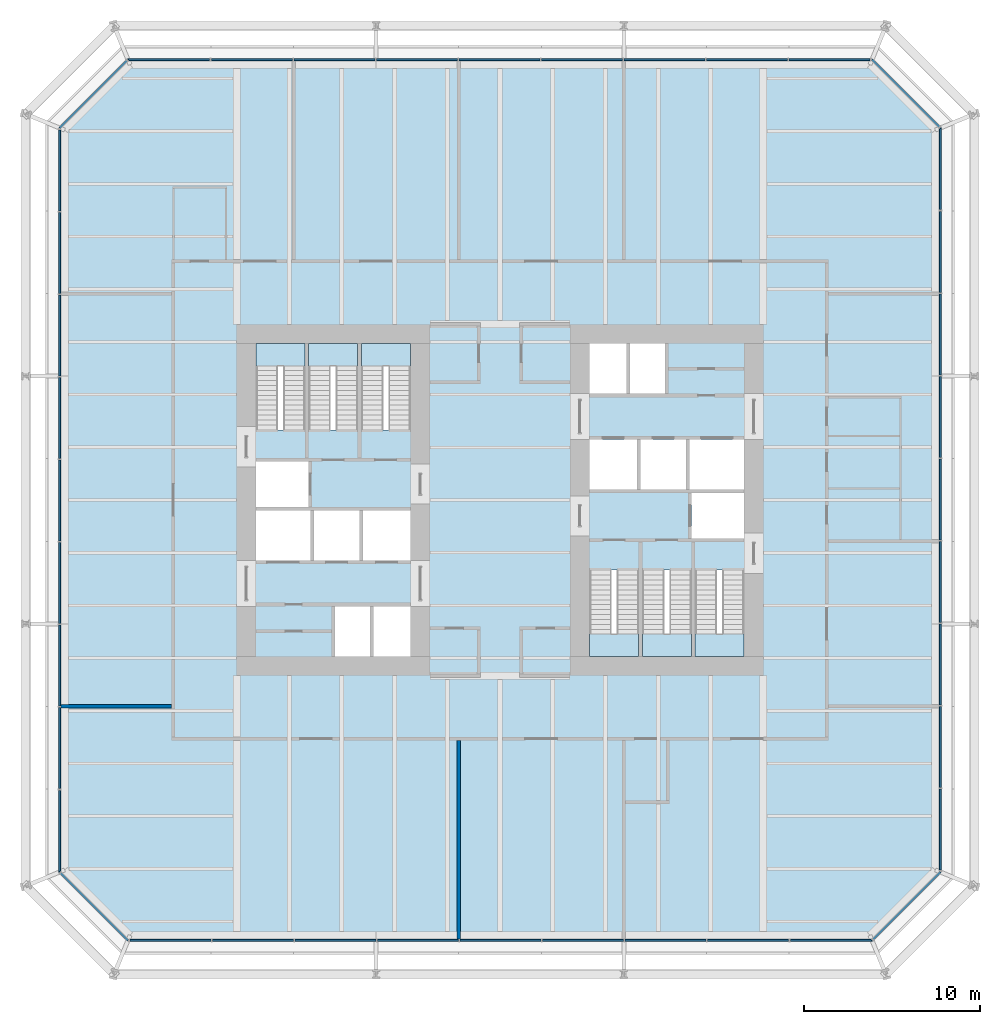
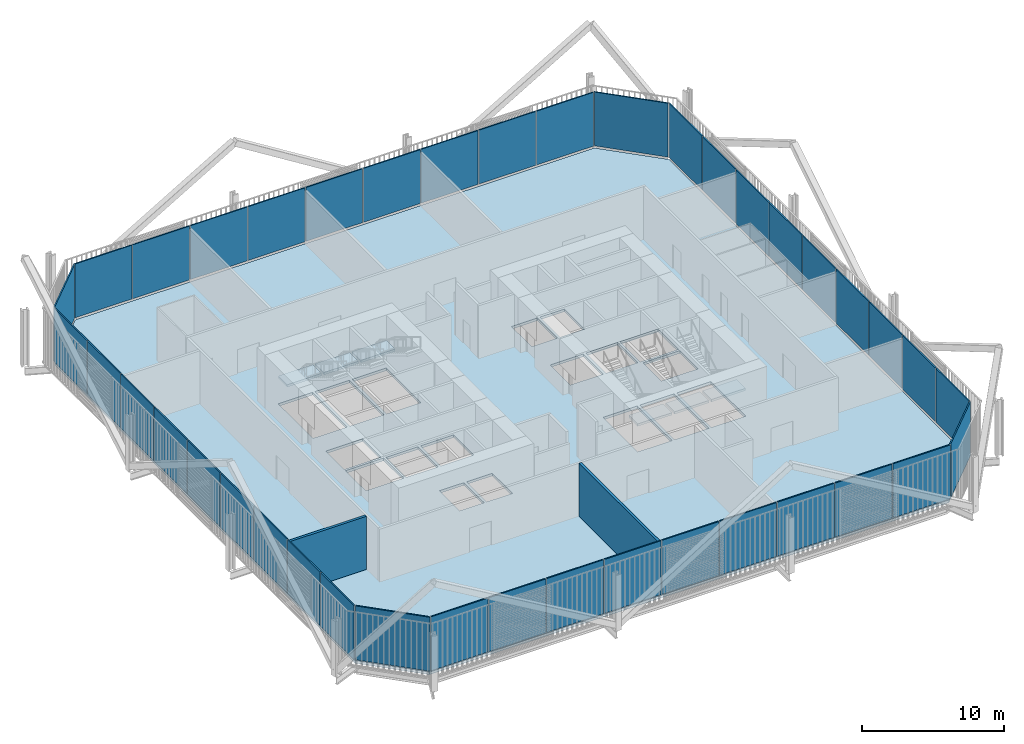
# One storey, part 17 of 22: 40 plates, 7 slabs, 2 walls, 14 elements without a shape of their own.
"""IFC4 building model written with IfcOpenShell, lengths in metres."""

from ifc_helpers import new_model, si_unit, direction, frame, frame_2d, origin, place, context, subcontext, project, spatial, polyline, rectangle, outline, extrude, material, layer, layer_set, type_object, element, aggregate, save


model = new_model("IFC4")

# Units and contexts
model_context = context("Model", 3, precision=1e-05, world=origin(), true_north=direction((0.0, 1.0)))
body_context = subcontext(model_context, "Body", "Model", "MODEL_VIEW")
ifc_project = project(units=[si_unit("LENGTHUNIT", "METRE"), si_unit("AREAUNIT", "SQUARE_METRE"), si_unit("VOLUMEUNIT", "CUBIC_METRE"), si_unit("PLANEANGLEUNIT", "RADIAN"), si_unit("MASSUNIT", "GRAM", prefix="KILO")], contexts=[model_context])

# Site, building, storey
site_placement = place(None, origin())
site = spatial("IfcSite", under=ifc_project, at=site_placement, CompositionType="ELEMENT")
building_placement = place(site_placement, origin())
building = spatial("IfcBuilding", under=site, at=building_placement, Name="Millrace Tower", CompositionType="ELEMENT")
storey_placement = place(building_placement, frame((0.0, 0.0, 35.300048828125)))
storey = spatial("IfcBuildingStorey", under=building, at=storey_placement, Name="L08", CompositionType="ELEMENT", Elevation=35.300048828125)

# Curtain wall, plate
ifc_material_1 = material(Name="Aluminium and glass", Category="aluminium")
ifc_layer_1 = layer(ifc_material_1, 0.14990234375)
ifc_layer_set_1 = layer_set([ifc_layer_1], Name="Aluminium and glass")
curtain_wall_type = type_object("IfcCurtainWallType", Name="CW-2 data hall insulated curtain wall", PredefinedType="NOTDEFINED", material=ifc_layer_set_1)
placement_1 = place(storey_placement, origin())
curtain_wall_1 = element("IfcCurtainWall", 1, at=placement_1, inside=storey, type_object=curtain_wall_type, Name="Curtain wall A-F01 L08", PredefinedType="NOTDEFINED")
ifc_material_2 = material(Name="Glass", Category="glass")
ifc_layer_2 = layer(ifc_material_2, 0.10009765625)
ifc_layer_set_2 = layer_set([ifc_layer_2], Name="Glass")
plate_type = type_object("IfcPlateType", Name="CW-2 data hall insulated curtain wall insulated cassette with vision slot", PredefinedType="CURTAIN_PANEL", material=ifc_layer_set_2)
placement_2 = place(storey_placement, frame((0.0, 0.0, 0.159912109375)))
plate_1 = element("IfcPlate", 2, at=placement_2, type_object=plate_type, Name="CW2 panel A-F01.1", PredefinedType="CURTAIN_PANEL", context=body_context, shape_type="SweptSolid", body=[
    extrude(outline(polyline([(-25.04248046875, -21.284423828125), (-21.20166015625, -25.125), (-21.160400390625, -25.02490234375), (-24.9716796875, -21.213623046875), (-25.04248046875, -21.284423828125)])), origin(), (0.0, 0.0, 1.0), 4.64013671875),
])
aggregate(curtain_wall_1, [plate_1])

# Curtain wall, plates
curtain_wall_2 = element("IfcCurtainWall", 3, at=placement_1, inside=storey, type_object=curtain_wall_type, Name="Curtain wall A-F02 L08", PredefinedType="NOTDEFINED")
plate_2 = element("IfcPlate", 4, at=placement_2, type_object=plate_type, Name="CW2 panel A-F02.1", PredefinedType="CURTAIN_PANEL", context=body_context, shape_type="SweptSolid", body=[
    extrude(outline(polyline([(-21.0849609375, -25.125), (-16.449951171875, -25.125), (-16.449951171875, -25.02490234375), (-21.0849609375, -25.02490234375), (-21.0849609375, -25.125)])), origin(), (0.0, 0.0, 1.0), 4.64013671875),
])
plate_3 = element("IfcPlate", 5, at=placement_2, type_object=plate_type, Name="CW2 panel A-F02.2", PredefinedType="CURTAIN_PANEL", context=body_context, shape_type="SweptSolid", body=[
    extrude(outline(polyline([(-16.385009765625, -25.125), (-11.75, -25.125), (-11.75, -25.02490234375), (-16.385009765625, -25.02490234375), (-16.385009765625, -25.125)])), origin(), (0.0, 0.0, 1.0), 4.64013671875),
])
plate_4 = element("IfcPlate", 6, at=placement_2, type_object=plate_type, Name="CW2 panel A-F02.3", PredefinedType="CURTAIN_PANEL", context=body_context, shape_type="SweptSolid", body=[
    extrude(outline(polyline([(-11.68505859375, -25.125), (-7.050048828125, -25.125), (-7.050048828125, -25.02490234375), (-11.68505859375, -25.02490234375), (-11.68505859375, -25.125)])), origin(), (0.0, 0.0, 1.0), 4.64013671875),
])
plate_5 = element("IfcPlate", 7, at=placement_2, type_object=plate_type, Name="CW2 panel A-F02.4", PredefinedType="CURTAIN_PANEL", context=body_context, shape_type="SweptSolid", body=[
    extrude(outline(polyline([(-6.985107421875, -25.125), (-2.35009765625, -25.125), (-2.35009765625, -25.02490234375), (-6.985107421875, -25.02490234375), (-6.985107421875, -25.125)])), origin(), (0.0, 0.0, 1.0), 4.64013671875),
])
plate_6 = element("IfcPlate", 8, at=placement_2, type_object=plate_type, Name="CW2 panel A-F02.5", PredefinedType="CURTAIN_PANEL", context=body_context, shape_type="SweptSolid", body=[
    extrude(outline(polyline([(-2.284912109375, -25.125), (2.35009765625, -25.125), (2.35009765625, -25.02490234375), (-2.284912109375, -25.02490234375), (-2.284912109375, -25.125)])), origin(), (0.0, 0.0, 1.0), 4.64013671875),
])
plate_7 = element("IfcPlate", 9, at=placement_2, type_object=plate_type, Name="CW2 panel A-F02.6", PredefinedType="CURTAIN_PANEL", context=body_context, shape_type="SweptSolid", body=[
    extrude(outline(polyline([(2.4150390625, -25.125), (7.050048828125, -25.125), (7.050048828125, -25.02490234375), (2.4150390625, -25.02490234375), (2.4150390625, -25.125)])), origin(), (0.0, 0.0, 1.0), 4.64013671875),
])
plate_8 = element("IfcPlate", 10, at=placement_2, type_object=plate_type, Name="CW2 panel A-F02.7", PredefinedType="CURTAIN_PANEL", context=body_context, shape_type="SweptSolid", body=[
    extrude(outline(polyline([(7.114990234375, -25.125), (11.75, -25.125), (11.75, -25.02490234375), (7.114990234375, -25.02490234375), (7.114990234375, -25.125)])), origin(), (0.0, 0.0, 1.0), 4.64013671875),
])
plate_9 = element("IfcPlate", 11, at=placement_2, type_object=plate_type, Name="CW2 panel A-F02.8", PredefinedType="CURTAIN_PANEL", context=body_context, shape_type="SweptSolid", body=[
    extrude(outline(polyline([(11.81494140625, -25.125), (16.449951171875, -25.125), (16.449951171875, -25.02490234375), (11.81494140625, -25.02490234375), (11.81494140625, -25.125)])), origin(), (0.0, 0.0, 1.0), 4.64013671875),
])
plate_10 = element("IfcPlate", 12, at=placement_2, type_object=plate_type, Name="CW2 panel A-F02.9", PredefinedType="CURTAIN_PANEL", context=body_context, shape_type="SweptSolid", body=[
    extrude(outline(polyline([(16.514892578125, -25.125), (21.20166015625, -25.125), (21.160400390625, -25.02490234375), (16.514892578125, -25.02490234375), (16.514892578125, -25.125)])), origin(), (0.0, 0.0, 1.0), 4.64013671875),
])
aggregate(curtain_wall_2, [plate_2, plate_3, plate_4, plate_5, plate_6, plate_7, plate_8, plate_9, plate_10])

# Curtain wall, plate
curtain_wall_3 = element("IfcCurtainWall", 13, at=placement_1, inside=storey, type_object=curtain_wall_type, Name="Curtain wall A-F03 L08", PredefinedType="NOTDEFINED")
plate_11 = element("IfcPlate", 14, at=placement_2, type_object=plate_type, Name="CW2 panel A-F03.1", PredefinedType="CURTAIN_PANEL", context=body_context, shape_type="SweptSolid", body=[
    extrude(outline(polyline([(21.284423828125, -25.04248046875), (25.125, -21.20166015625), (25.02490234375, -21.160400390625), (21.213623046875, -24.9716796875), (21.284423828125, -25.04248046875)])), origin(), (0.0, 0.0, 1.0), 4.64013671875),
])
aggregate(curtain_wall_3, [plate_11])

# Curtain wall, plates
curtain_wall_4 = element("IfcCurtainWall", 15, at=placement_1, inside=storey, type_object=curtain_wall_type, Name="Curtain wall A-F04 L08", PredefinedType="NOTDEFINED")
plate_12 = element("IfcPlate", 16, at=placement_2, type_object=plate_type, Name="CW2 panel A-F04.1", PredefinedType="CURTAIN_PANEL", context=body_context, shape_type="SweptSolid", body=[
    extrude(outline(polyline([(25.125, -21.0849609375), (25.125, -16.449951171875), (25.02490234375, -16.449951171875), (25.02490234375, -21.0849609375), (25.125, -21.0849609375)])), origin(), (0.0, 0.0, 1.0), 4.64013671875),
])
plate_13 = element("IfcPlate", 17, at=placement_2, type_object=plate_type, Name="CW2 panel A-F04.2", PredefinedType="CURTAIN_PANEL", context=body_context, shape_type="SweptSolid", body=[
    extrude(outline(polyline([(25.125, -16.385009765625), (25.125, -11.75), (25.02490234375, -11.75), (25.02490234375, -16.385009765625), (25.125, -16.385009765625)])), origin(), (0.0, 0.0, 1.0), 4.64013671875),
])
plate_14 = element("IfcPlate", 18, at=placement_2, type_object=plate_type, Name="CW2 panel A-F04.3", PredefinedType="CURTAIN_PANEL", context=body_context, shape_type="SweptSolid", body=[
    extrude(outline(polyline([(25.125, -11.68505859375), (25.125, -7.050048828125), (25.02490234375, -7.050048828125), (25.02490234375, -11.68505859375), (25.125, -11.68505859375)])), origin(), (0.0, 0.0, 1.0), 4.64013671875),
])
plate_15 = element("IfcPlate", 19, at=placement_2, type_object=plate_type, Name="CW2 panel A-F04.4", PredefinedType="CURTAIN_PANEL", context=body_context, shape_type="SweptSolid", body=[
    extrude(outline(polyline([(25.125, -6.985107421875), (25.125, -2.35009765625), (25.02490234375, -2.35009765625), (25.02490234375, -6.985107421875), (25.125, -6.985107421875)])), origin(), (0.0, 0.0, 1.0), 4.64013671875),
])
plate_16 = element("IfcPlate", 20, at=placement_2, type_object=plate_type, Name="CW2 panel A-F04.5", PredefinedType="CURTAIN_PANEL", context=body_context, shape_type="SweptSolid", body=[
    extrude(outline(polyline([(25.125, -2.284912109375), (25.125, 2.35009765625), (25.02490234375, 2.35009765625), (25.02490234375, -2.284912109375), (25.125, -2.284912109375)])), origin(), (0.0, 0.0, 1.0), 4.64013671875),
])
plate_17 = element("IfcPlate", 21, at=placement_2, type_object=plate_type, Name="CW2 panel A-F04.6", PredefinedType="CURTAIN_PANEL", context=body_context, shape_type="SweptSolid", body=[
    extrude(outline(polyline([(25.125, 2.4150390625), (25.125, 7.050048828125), (25.02490234375, 7.050048828125), (25.02490234375, 2.4150390625), (25.125, 2.4150390625)])), origin(), (0.0, 0.0, 1.0), 4.64013671875),
])
plate_18 = element("IfcPlate", 22, at=placement_2, type_object=plate_type, Name="CW2 panel A-F04.7", PredefinedType="CURTAIN_PANEL", context=body_context, shape_type="SweptSolid", body=[
    extrude(outline(polyline([(25.125, 7.114990234375), (25.125, 11.75), (25.02490234375, 11.75), (25.02490234375, 7.114990234375), (25.125, 7.114990234375)])), origin(), (0.0, 0.0, 1.0), 4.64013671875),
])
plate_19 = element("IfcPlate", 23, at=placement_2, type_object=plate_type, Name="CW2 panel A-F04.8", PredefinedType="CURTAIN_PANEL", context=body_context, shape_type="SweptSolid", body=[
    extrude(outline(polyline([(25.125, 11.81494140625), (25.125, 16.449951171875), (25.02490234375, 16.449951171875), (25.02490234375, 11.81494140625), (25.125, 11.81494140625)])), origin(), (0.0, 0.0, 1.0), 4.64013671875),
])
plate_20 = element("IfcPlate", 24, at=placement_2, type_object=plate_type, Name="CW2 panel A-F04.9", PredefinedType="CURTAIN_PANEL", context=body_context, shape_type="SweptSolid", body=[
    extrude(outline(polyline([(25.125, 16.514892578125), (25.125, 21.20166015625), (25.02490234375, 21.160400390625), (25.02490234375, 16.514892578125), (25.125, 16.514892578125)])), origin(), (0.0, 0.0, 1.0), 4.64013671875),
])
aggregate(curtain_wall_4, [plate_12, plate_13, plate_14, plate_15, plate_16, plate_17, plate_18, plate_19, plate_20])

# Curtain wall, plate
curtain_wall_5 = element("IfcCurtainWall", 25, at=placement_1, inside=storey, type_object=curtain_wall_type, Name="Curtain wall A-F05 L08", PredefinedType="NOTDEFINED")
plate_21 = element("IfcPlate", 26, at=placement_2, type_object=plate_type, Name="CW2 panel A-F05.1", PredefinedType="CURTAIN_PANEL", context=body_context, shape_type="SweptSolid", body=[
    extrude(outline(polyline([(25.04248046875, 21.284423828125), (21.20166015625, 25.125), (21.160400390625, 25.02490234375), (24.9716796875, 21.213623046875), (25.04248046875, 21.284423828125)])), origin(), (0.0, 0.0, 1.0), 4.64013671875),
])
aggregate(curtain_wall_5, [plate_21])

# Curtain wall, plates
curtain_wall_6 = element("IfcCurtainWall", 27, at=placement_1, inside=storey, type_object=curtain_wall_type, Name="Curtain wall A-F06 L08", PredefinedType="NOTDEFINED")
plate_22 = element("IfcPlate", 28, at=placement_2, type_object=plate_type, Name="CW2 panel A-F06.1", PredefinedType="CURTAIN_PANEL", context=body_context, shape_type="SweptSolid", body=[
    extrude(outline(polyline([(21.0849609375, 25.125), (16.449951171875, 25.125), (16.449951171875, 25.02490234375), (21.0849609375, 25.02490234375), (21.0849609375, 25.125)])), origin(), (0.0, 0.0, 1.0), 4.64013671875),
])
plate_23 = element("IfcPlate", 29, at=placement_2, type_object=plate_type, Name="CW2 panel A-F06.2", PredefinedType="CURTAIN_PANEL", context=body_context, shape_type="SweptSolid", body=[
    extrude(outline(polyline([(16.385009765625, 25.125), (11.75, 25.125), (11.75, 25.02490234375), (16.385009765625, 25.02490234375), (16.385009765625, 25.125)])), origin(), (0.0, 0.0, 1.0), 4.64013671875),
])
plate_24 = element("IfcPlate", 30, at=placement_2, type_object=plate_type, Name="CW2 panel A-F06.3", PredefinedType="CURTAIN_PANEL", context=body_context, shape_type="SweptSolid", body=[
    extrude(outline(polyline([(11.68505859375, 25.125), (7.050048828125, 25.125), (7.050048828125, 25.02490234375), (11.68505859375, 25.02490234375), (11.68505859375, 25.125)])), origin(), (0.0, 0.0, 1.0), 4.64013671875),
])
plate_25 = element("IfcPlate", 31, at=placement_2, type_object=plate_type, Name="CW2 panel A-F06.4", PredefinedType="CURTAIN_PANEL", context=body_context, shape_type="SweptSolid", body=[
    extrude(outline(polyline([(6.985107421875, 25.125), (2.35009765625, 25.125), (2.35009765625, 25.02490234375), (6.985107421875, 25.02490234375), (6.985107421875, 25.125)])), origin(), (0.0, 0.0, 1.0), 4.64013671875),
])
plate_26 = element("IfcPlate", 32, at=placement_2, type_object=plate_type, Name="CW2 panel A-F06.5", PredefinedType="CURTAIN_PANEL", context=body_context, shape_type="SweptSolid", body=[
    extrude(outline(polyline([(2.284912109375, 25.125), (-2.35009765625, 25.125), (-2.35009765625, 25.02490234375), (2.284912109375, 25.02490234375), (2.284912109375, 25.125)])), origin(), (0.0, 0.0, 1.0), 4.64013671875),
])
plate_27 = element("IfcPlate", 33, at=placement_2, type_object=plate_type, Name="CW2 panel A-F06.6", PredefinedType="CURTAIN_PANEL", context=body_context, shape_type="SweptSolid", body=[
    extrude(outline(polyline([(-2.4150390625, 25.125), (-7.050048828125, 25.125), (-7.050048828125, 25.02490234375), (-2.4150390625, 25.02490234375), (-2.4150390625, 25.125)])), origin(), (0.0, 0.0, 1.0), 4.64013671875),
])
plate_28 = element("IfcPlate", 34, at=placement_2, type_object=plate_type, Name="CW2 panel A-F06.7", PredefinedType="CURTAIN_PANEL", context=body_context, shape_type="SweptSolid", body=[
    extrude(outline(polyline([(-7.114990234375, 25.125), (-11.75, 25.125), (-11.75, 25.02490234375), (-7.114990234375, 25.02490234375), (-7.114990234375, 25.125)])), origin(), (0.0, 0.0, 1.0), 4.64013671875),
])
plate_29 = element("IfcPlate", 35, at=placement_2, type_object=plate_type, Name="CW2 panel A-F06.8", PredefinedType="CURTAIN_PANEL", context=body_context, shape_type="SweptSolid", body=[
    extrude(outline(polyline([(-11.81494140625, 25.125), (-16.449951171875, 25.125), (-16.449951171875, 25.02490234375), (-11.81494140625, 25.02490234375), (-11.81494140625, 25.125)])), origin(), (0.0, 0.0, 1.0), 4.64013671875),
])
plate_30 = element("IfcPlate", 36, at=placement_2, type_object=plate_type, Name="CW2 panel A-F06.9", PredefinedType="CURTAIN_PANEL", context=body_context, shape_type="SweptSolid", body=[
    extrude(outline(polyline([(-16.514892578125, 25.125), (-21.20166015625, 25.125), (-21.160400390625, 25.02490234375), (-16.514892578125, 25.02490234375), (-16.514892578125, 25.125)])), origin(), (0.0, 0.0, 1.0), 4.64013671875),
])
aggregate(curtain_wall_6, [plate_22, plate_23, plate_24, plate_25, plate_26, plate_27, plate_28, plate_29, plate_30])

# Curtain wall, plate
curtain_wall_7 = element("IfcCurtainWall", 37, at=placement_1, inside=storey, type_object=curtain_wall_type, Name="Curtain wall A-F07 L08", PredefinedType="NOTDEFINED")
plate_31 = element("IfcPlate", 38, at=placement_2, type_object=plate_type, Name="CW2 panel A-F07.1", PredefinedType="CURTAIN_PANEL", context=body_context, shape_type="SweptSolid", body=[
    extrude(outline(polyline([(-21.284423828125, 25.04248046875), (-25.125, 21.20166015625), (-25.02490234375, 21.160400390625), (-21.213623046875, 24.9716796875), (-21.284423828125, 25.04248046875)])), origin(), (0.0, 0.0, 1.0), 4.64013671875),
])
aggregate(curtain_wall_7, [plate_31])

# Curtain wall, plates
curtain_wall_8 = element("IfcCurtainWall", 39, at=placement_1, inside=storey, type_object=curtain_wall_type, Name="Curtain wall A-F08 L08", PredefinedType="NOTDEFINED")
plate_32 = element("IfcPlate", 40, at=placement_2, type_object=plate_type, Name="CW2 panel A-F08.1", PredefinedType="CURTAIN_PANEL", context=body_context, shape_type="SweptSolid", body=[
    extrude(outline(polyline([(-25.125, 21.0849609375), (-25.125, 16.449951171875), (-25.02490234375, 16.449951171875), (-25.02490234375, 21.0849609375), (-25.125, 21.0849609375)])), origin(), (0.0, 0.0, 1.0), 4.64013671875),
])
plate_33 = element("IfcPlate", 41, at=placement_2, type_object=plate_type, Name="CW2 panel A-F08.2", PredefinedType="CURTAIN_PANEL", context=body_context, shape_type="SweptSolid", body=[
    extrude(outline(polyline([(-25.125, 16.385009765625), (-25.125, 11.75), (-25.02490234375, 11.75), (-25.02490234375, 16.385009765625), (-25.125, 16.385009765625)])), origin(), (0.0, 0.0, 1.0), 4.64013671875),
])
plate_34 = element("IfcPlate", 42, at=placement_2, type_object=plate_type, Name="CW2 panel A-F08.3", PredefinedType="CURTAIN_PANEL", context=body_context, shape_type="SweptSolid", body=[
    extrude(outline(polyline([(-25.125, 11.68505859375), (-25.125, 7.050048828125), (-25.02490234375, 7.050048828125), (-25.02490234375, 11.68505859375), (-25.125, 11.68505859375)])), origin(), (0.0, 0.0, 1.0), 4.64013671875),
])
plate_35 = element("IfcPlate", 43, at=placement_2, type_object=plate_type, Name="CW2 panel A-F08.4", PredefinedType="CURTAIN_PANEL", context=body_context, shape_type="SweptSolid", body=[
    extrude(outline(polyline([(-25.125, 6.985107421875), (-25.125, 2.35009765625), (-25.02490234375, 2.35009765625), (-25.02490234375, 6.985107421875), (-25.125, 6.985107421875)])), origin(), (0.0, 0.0, 1.0), 4.64013671875),
])
plate_36 = element("IfcPlate", 44, at=placement_2, type_object=plate_type, Name="CW2 panel A-F08.5", PredefinedType="CURTAIN_PANEL", context=body_context, shape_type="SweptSolid", body=[
    extrude(outline(polyline([(-25.125, 2.284912109375), (-25.125, -2.35009765625), (-25.02490234375, -2.35009765625), (-25.02490234375, 2.284912109375), (-25.125, 2.284912109375)])), origin(), (0.0, 0.0, 1.0), 4.64013671875),
])
plate_37 = element("IfcPlate", 45, at=placement_2, type_object=plate_type, Name="CW2 panel A-F08.6", PredefinedType="CURTAIN_PANEL", context=body_context, shape_type="SweptSolid", body=[
    extrude(outline(polyline([(-25.125, -2.4150390625), (-25.125, -7.050048828125), (-25.02490234375, -7.050048828125), (-25.02490234375, -2.4150390625), (-25.125, -2.4150390625)])), origin(), (0.0, 0.0, 1.0), 4.64013671875),
])
plate_38 = element("IfcPlate", 46, at=placement_2, type_object=plate_type, Name="CW2 panel A-F08.7", PredefinedType="CURTAIN_PANEL", context=body_context, shape_type="SweptSolid", body=[
    extrude(outline(polyline([(-25.125, -7.114990234375), (-25.125, -11.75), (-25.02490234375, -11.75), (-25.02490234375, -7.114990234375), (-25.125, -7.114990234375)])), origin(), (0.0, 0.0, 1.0), 4.64013671875),
])
plate_39 = element("IfcPlate", 47, at=placement_2, type_object=plate_type, Name="CW2 panel A-F08.8", PredefinedType="CURTAIN_PANEL", context=body_context, shape_type="SweptSolid", body=[
    extrude(outline(polyline([(-25.125, -11.81494140625), (-25.125, -16.449951171875), (-25.02490234375, -16.449951171875), (-25.02490234375, -11.81494140625), (-25.125, -11.81494140625)])), origin(), (0.0, 0.0, 1.0), 4.64013671875),
])
plate_40 = element("IfcPlate", 48, at=placement_2, type_object=plate_type, Name="CW2 panel A-F08.9", PredefinedType="CURTAIN_PANEL", context=body_context, shape_type="SweptSolid", body=[
    extrude(outline(polyline([(-25.125, -16.514892578125), (-25.125, -21.20166015625), (-25.02490234375, -21.160400390625), (-25.02490234375, -16.514892578125), (-25.125, -16.514892578125)])), origin(), (0.0, 0.0, 1.0), 4.64013671875),
])
aggregate(curtain_wall_8, [plate_32, plate_33, plate_34, plate_35, plate_36, plate_37, plate_38, plate_39, plate_40])

# Slab
ifc_material_3 = material(Name="Concrete C35 on steel deck", Category="concrete")
ifc_layer_3 = layer(ifc_material_3, 0.22509765625)
ifc_layer_set_3 = layer_set([ifc_layer_3], Name="Concrete C35 on steel deck")
slab_type_1 = type_object("IfcSlabType", Name="Composite floor slab 225 mm", PredefinedType="FLOOR", material=ifc_layer_set_3)
slab_1_placement = place(storey_placement, frame((0.0, 0.0, -0.22509765625)))
element("IfcSlab", 49, at=slab_1_placement, inside=storey, type_object=slab_type_1, Name="SL-A-L08-S1", PredefinedType="FLOOR", context=body_context, shape_type="SweptSolid", body=[
    extrude(outline(polyline([(-25.0, -21.14990234375), (-21.14990234375, -25.0), (21.14990234375, -25.0), (25.0, -21.14990234375), (25.0, 21.14990234375), (21.14990234375, 25.0), (-21.14990234375, 25.0), (-25.0, 21.14990234375), (-25.0, -21.14990234375)]), holes=[polyline([(-9.39990234375, -8.89990234375), (-7.39990234375, -8.89990234375), (-7.39990234375, -6.050048828125), (-9.39990234375, -6.050048828125), (-9.39990234375, -8.89990234375)]), polyline([(-7.199951171875, -8.89990234375), (-5.10009765625, -8.89990234375), (-5.10009765625, -6.050048828125), (-7.199951171875, -6.050048828125), (-7.199951171875, -8.89990234375)]), polyline([(-13.89990234375, -3.449951171875), (-10.800048828125, -3.449951171875), (-10.800048828125, -0.60009765625), (-13.89990234375, -0.60009765625), (-13.89990234375, -3.449951171875)]), polyline([(-10.60009765625, -3.449951171875), (-8.0, -3.449951171875), (-8.0, -0.60009765625), (-10.60009765625, -0.60009765625), (-10.60009765625, -3.449951171875)]), polyline([(-7.800048828125, -3.449951171875), (-5.10009765625, -3.449951171875), (-5.10009765625, -0.60009765625), (-7.800048828125, -0.60009765625), (-7.800048828125, -3.449951171875)]), polyline([(-13.89990234375, -0.39990234375), (-10.89990234375, -0.39990234375), (-10.89990234375, 2.179931640625), (-13.89990234375, 2.179931640625), (-13.89990234375, -0.39990234375)]), polyline([(-13.89990234375, 4.0), (-11.10009765625, 4.0), (-11.10009765625, 8.89990234375), (-13.89990234375, 8.89990234375), (-13.89990234375, 4.0)]), polyline([(-10.89990234375, 4.0), (-8.10009765625, 4.0), (-8.10009765625, 8.89990234375), (-10.89990234375, 8.89990234375), (-10.89990234375, 4.0)]), polyline([(-7.89990234375, 4.0), (-5.10009765625, 4.0), (-5.10009765625, 8.89990234375), (-7.89990234375, 8.89990234375), (-7.89990234375, 4.0)]), polyline([(7.39990234375, 6.050048828125), (9.39990234375, 6.050048828125), (9.39990234375, 8.89990234375), (7.39990234375, 8.89990234375), (7.39990234375, 6.050048828125)]), polyline([(5.10009765625, 6.050048828125), (7.199951171875, 6.050048828125), (7.199951171875, 8.89990234375), (5.10009765625, 8.89990234375), (5.10009765625, 6.050048828125)]), polyline([(10.800048828125, 0.60009765625), (13.89990234375, 0.60009765625), (13.89990234375, 3.449951171875), (10.800048828125, 3.449951171875), (10.800048828125, 0.60009765625)]), polyline([(8.0, 0.60009765625), (10.60009765625, 0.60009765625), (10.60009765625, 3.449951171875), (8.0, 3.449951171875), (8.0, 0.60009765625)]), polyline([(5.10009765625, 0.60009765625), (7.800048828125, 0.60009765625), (7.800048828125, 3.449951171875), (5.10009765625, 3.449951171875), (5.10009765625, 0.60009765625)]), polyline([(10.89990234375, -2.179931640625), (13.89990234375, -2.179931640625), (13.89990234375, 0.39990234375), (10.89990234375, 0.39990234375), (10.89990234375, -2.179931640625)]), polyline([(11.10009765625, -8.89990234375), (13.89990234375, -8.89990234375), (13.89990234375, -4.0), (11.10009765625, -4.0), (11.10009765625, -8.89990234375)]), polyline([(8.10009765625, -8.89990234375), (10.89990234375, -8.89990234375), (10.89990234375, -4.0), (8.10009765625, -4.0), (8.10009765625, -8.89990234375)]), polyline([(5.10009765625, -8.89990234375), (7.89990234375, -8.89990234375), (7.89990234375, -4.0), (5.10009765625, -4.0), (5.10009765625, -8.89990234375)])]), origin(), (0.0, 0.0, 1.0), 0.22509765625),
])

# Stair, slab
ifc_material_4 = material(Name="Concrete C35", Category="concrete")
stair_type = type_object("IfcStairType", Name="Exit stair", PredefinedType="HALF_TURN_STAIR", material=ifc_material_4)
stair_1 = element("IfcStair", 50, at=placement_1, inside=storey, type_object=stair_type, Name="Stair 1 W L08", PredefinedType="HALF_TURN_STAIR")
ifc_material_5 = material(Name="Concrete C40", Category="concrete")
ifc_layer_4 = layer(ifc_material_5, 0.199951171875)
ifc_layer_set_4 = layer_set([ifc_layer_4], Name="Concrete C40")
slab_type_2 = type_object("IfcSlabType", Name="Stair landing", PredefinedType="LANDING", material=ifc_layer_set_4)
placement_3 = place(storey_placement, frame((0.0, 0.0, 2.199951171875)))
slab_2 = element("IfcSlab", 51, at=placement_3, type_object=slab_type_2, Name="ST12 landing 1", PredefinedType="LANDING", context=body_context, shape_type="SweptSolid", body=[
    extrude(outline(polyline([(-13.89990234375, 7.639892578125), (-11.10009765625, 7.639892578125), (-11.10009765625, 8.89990234375), (-13.89990234375, 8.89990234375), (-13.89990234375, 7.639892578125)])), origin(), (0.0, 0.0, 1.0), 0.199951171875),
])
aggregate(stair_1, [slab_2])

stair_2 = element("IfcStair", 52, at=placement_1, inside=storey, type_object=stair_type, Name="Stair 2 W L08", PredefinedType="HALF_TURN_STAIR")
slab_3 = element("IfcSlab", 53, at=placement_3, type_object=slab_type_2, Name="ST12 landing 1", PredefinedType="LANDING", context=body_context, shape_type="SweptSolid", body=[
    extrude(outline(polyline([(-10.89990234375, 7.639892578125), (-8.10009765625, 7.639892578125), (-8.10009765625, 8.89990234375), (-10.89990234375, 8.89990234375), (-10.89990234375, 7.639892578125)])), origin(), (0.0, 0.0, 1.0), 0.199951171875),
])
aggregate(stair_2, [slab_3])

stair_3 = element("IfcStair", 54, at=placement_1, inside=storey, type_object=stair_type, Name="Stair 3 W L08", PredefinedType="HALF_TURN_STAIR")
slab_4 = element("IfcSlab", 55, at=placement_3, type_object=slab_type_2, Name="ST12 landing 1", PredefinedType="LANDING", context=body_context, shape_type="SweptSolid", body=[
    extrude(outline(polyline([(-7.89990234375, 7.639892578125), (-5.10009765625, 7.639892578125), (-5.10009765625, 8.89990234375), (-7.89990234375, 8.89990234375), (-7.89990234375, 7.639892578125)])), origin(), (0.0, 0.0, 1.0), 0.199951171875),
])
aggregate(stair_3, [slab_4])

stair_4 = element("IfcStair", 56, at=placement_1, inside=storey, type_object=stair_type, Name="Stair 1 E L08", PredefinedType="HALF_TURN_STAIR")
slab_5 = element("IfcSlab", 57, at=placement_3, type_object=slab_type_2, Name="ST12 landing 1", PredefinedType="LANDING", context=body_context, shape_type="SweptSolid", body=[
    extrude(outline(polyline([(11.10009765625, -8.89990234375), (13.89990234375, -8.89990234375), (13.89990234375, -7.639892578125), (11.10009765625, -7.639892578125), (11.10009765625, -8.89990234375)])), origin(), (0.0, 0.0, 1.0), 0.199951171875),
])
aggregate(stair_4, [slab_5])

stair_5 = element("IfcStair", 58, at=placement_1, inside=storey, type_object=stair_type, Name="Stair 2 E L08", PredefinedType="HALF_TURN_STAIR")
slab_6 = element("IfcSlab", 59, at=placement_3, type_object=slab_type_2, Name="ST12 landing 1", PredefinedType="LANDING", context=body_context, shape_type="SweptSolid", body=[
    extrude(outline(polyline([(8.10009765625, -8.89990234375), (10.89990234375, -8.89990234375), (10.89990234375, -7.639892578125), (8.10009765625, -7.639892578125), (8.10009765625, -8.89990234375)])), origin(), (0.0, 0.0, 1.0), 0.199951171875),
])
aggregate(stair_5, [slab_6])

stair_6 = element("IfcStair", 60, at=placement_1, inside=storey, type_object=stair_type, Name="Stair 3 E L08", PredefinedType="HALF_TURN_STAIR")
slab_7 = element("IfcSlab", 61, at=placement_3, type_object=slab_type_2, Name="ST12 landing 1", PredefinedType="LANDING", context=body_context, shape_type="SweptSolid", body=[
    extrude(outline(polyline([(5.10009765625, -8.89990234375), (7.89990234375, -8.89990234375), (7.89990234375, -7.639892578125), (5.10009765625, -7.639892578125), (5.10009765625, -8.89990234375)])), origin(), (0.0, 0.0, 1.0), 0.199951171875),
])
aggregate(stair_6, [slab_7])

# Walls
ifc_material_6 = material(Name="Masonry partition, fire-rated", Category="masonry")
ifc_layer_5 = layer(ifc_material_6, 0.199951171875)
ifc_layer_set_5 = layer_set([ifc_layer_5], Name="Masonry partition, fire-rated")
wall_type = type_object("IfcWallType", Name="Corridor wall 200", PredefinedType="PARTITIONING", material=ifc_layer_set_5)
wall_1_placement = place(storey_placement, frame((-25.030029296875, -11.75, 0.0), z_axis=(0.0, 0.0, 1.0), x_axis=(1.0, 0.0, 0.0)))
element("IfcWall", 62, at=wall_1_placement, inside=storey, type_object=wall_type, Name="Corridor wall L08", PredefinedType="PARTITIONING", context=body_context, shape_type="SweptSolid", body=[
    extrude(rectangle(XDim=6.330078125, YDim=0.199951171875, at=frame_2d((3.1650390625, 0.0))), origin(), (0.0, 0.0, 1.0), 4.574951171875),
])
wall_2_placement = place(storey_placement, frame((-2.35009765625, -25.030029296875, 0.0), z_axis=(0.0, 0.0, 1.0), x_axis=(0.0, 1.0, 0.0)))
element("IfcWall", 63, at=wall_2_placement, inside=storey, type_object=wall_type, Name="Corridor wall L08", PredefinedType="PARTITIONING", context=body_context, shape_type="SweptSolid", body=[
    extrude(rectangle(XDim=11.330078125, YDim=0.199951171875, at=frame_2d((5.6650390625, 0.0))), origin(), (0.0, 0.0, 1.0), 4.574951171875),
])

save(model, "model.ifc")
